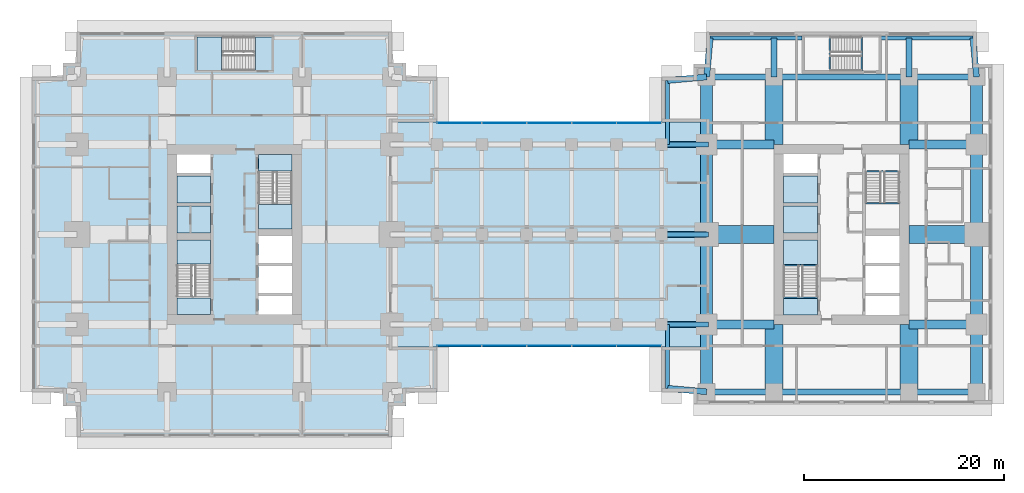
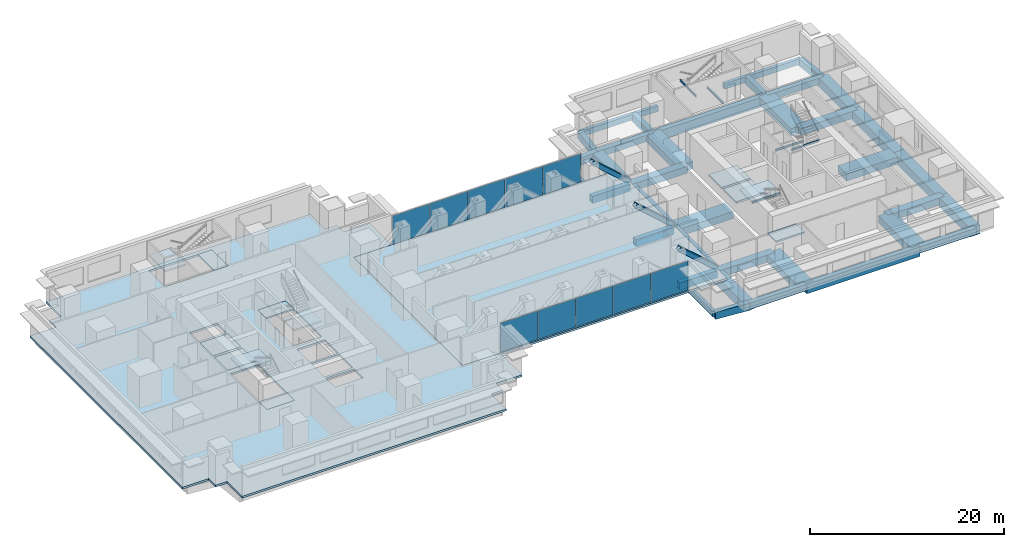
# One storey, part 5 of 16: 43 beams, 14 slabs, 10 plates, 3 members, 6 elements without a shape of their own.
"""IFC4 building model written with IfcOpenShell, lengths in metres."""

from ifc_helpers import new_model, si_unit, direction, frame, origin, origin_2d, place, context, subcontext, project, spatial, polyline, rectangle, hollow_rectangle, i_section, outline, extrude, material, layer, layer_set, material_profile, profile_set, type_object, element, aggregate, save


model = new_model("IFC4")

# Units and contexts
model_context = context("Model", 3, precision=1e-05, world=origin(), true_north=direction((0.0, 1.0)))
body_context = subcontext(model_context, "Body", "Model", "MODEL_VIEW")
ifc_project = project(units=[si_unit("LENGTHUNIT", "METRE"), si_unit("AREAUNIT", "SQUARE_METRE"), si_unit("VOLUMEUNIT", "CUBIC_METRE"), si_unit("PLANEANGLEUNIT", "RADIAN"), si_unit("MASSUNIT", "GRAM", prefix="KILO")], contexts=[model_context])

# Site, building, storey
site_placement = place(None, origin())
site = spatial("IfcSite", under=ifc_project, at=site_placement, CompositionType="ELEMENT")
building_placement = place(site_placement, origin())
building = spatial("IfcBuilding", under=site, at=building_placement, Name="Namib Vertical Campus", CompositionType="ELEMENT")
storey_placement = place(building_placement, frame((0.0, 0.0, 125.0)))
storey = spatial("IfcBuildingStorey", under=building, at=storey_placement, Name="L29", CompositionType="ELEMENT", Elevation=125.0)

# Members
ifc_material_1 = material(Name="Steel S355JR", Category="steel")
ifc_material_profile_1 = material_profile(ifc_material_1, hollow_rectangle(XDim=0.5, YDim=0.5, WallThickness=0.031982421875, at=origin_2d()))
ifc_profile_set_1 = profile_set([ifc_material_profile_1], Name="Steel S355JR")
member_type = type_object("IfcMemberType", Name="Bridge end brace WB 500x500x32", PredefinedType="BRACE", material=ifc_profile_set_1)
for number, where, z_axis, x_axis, name in (
    (1, (67.5, 11.25, 0.0), (-0.747409318684, 0.0, 0.66436383883), (0.0, -1.0, 0.0), "Bridge brace BX1 L29 T1 bay 7"),
    (2, (67.5, 20.25, 0.0), (-0.747409318684, 0.0, 0.66436383883), (0.0, -1.0, 0.0), "Bridge brace BX1 L29 T2 bay 7"),
    (3, (67.5, 29.25, 0.0), (-0.747409318684, 0.0, 0.66436383883), (0.0, -1.0, 0.0), "Bridge brace BX1 L29 T3 bay 7"),
):
    element("IfcMember", number, at=place(storey_placement, frame(where, z_axis=z_axis, x_axis=x_axis)), inside=storey, type_object=member_type, Name=name, PredefinedType="BRACE", context=body_context, shape_type="SweptSolid", body=[
        extrude(hollow_rectangle(XDim=0.5, YDim=0.5, WallThickness=0.031982421875, at=origin_2d()), origin(), (0.0, 0.0, 1.0), 6.020751953125),
    ])

# Beams
ifc_material_2 = material(Name="Steel S355JR", Category="steel")
ifc_material_profile_2 = material_profile(ifc_material_2, hollow_rectangle(XDim=0.60009765625, YDim=0.89990234375, WallThickness=0.050048828125, at=origin_2d()))
ifc_profile_set_2 = profile_set([ifc_material_profile_2], Name="Steel S355JR")
beam_type_1 = type_object("IfcBeamType", Name="Bridge girder WB 900x600x50", PredefinedType="BEAM", material=ifc_profile_set_2)
for number, where, z_axis, x_axis, name in (
    (4, (63.0, 11.25, -0.699951171875), (1.0, 0.0, 0.0), (0.0, 1.0, 0.0), "Bridge girder BG1 L29"),
    (5, (63.0, 20.25, -0.699951171875), (1.0, 0.0, 0.0), (0.0, 1.0, 0.0), "Bridge girder BG1 L29"),
    (6, (63.0, 29.25, -0.699951171875), (1.0, 0.0, 0.0), (0.0, 1.0, 0.0), "Bridge girder BG1 L29"),
):
    element("IfcBeam", number, at=place(storey_placement, frame(where, z_axis=z_axis, x_axis=x_axis)), inside=storey, type_object=beam_type_1, Name=name, PredefinedType="BEAM", context=body_context, shape_type="SweptSolid", body=[
        extrude(hollow_rectangle(XDim=0.60009765625, YDim=0.89990234375, WallThickness=0.050048828125, at=origin_2d()), origin(), (0.0, 0.0, 1.0), 4.5),
    ])
ifc_material_3 = material(Name="Concrete C40/50", Category="concrete")
ifc_material_profile_3 = material_profile(ifc_material_3, rectangle(XDim=0.60009765625, YDim=0.89990234375, at=origin_2d()))
ifc_profile_set_3 = profile_set([ifc_material_profile_3], Name="Concrete C40/50")
beam_type_2 = type_object("IfcBeamType", Name="Cantilever girder RC 600x900", PredefinedType="BEAM", material=ifc_profile_set_3)
beam_1_placement = place(storey_placement, frame((67.5, 36.0, -0.699951171875), z_axis=(0.089411326146, 0.995994786511, 0.0), x_axis=(-0.995994786511, 0.089411326146, 0.0)))
element("IfcBeam", 7, at=beam_1_placement, inside=storey, type_object=beam_type_2, Name="Beam B3 L29", PredefinedType="BEAM", context=body_context, shape_type="SweptSolid", body=[
    extrude(rectangle(XDim=0.60009765625, YDim=0.89990234375, at=origin_2d()), origin(), (0.0, 0.0, 1.0), 3.91552734375),
])
for number, where, z_axis, x_axis, name in (
    (8, (74.25, 36.0, -0.699951171875), (0.0, 1.0, 0.0), (-1.0, 0.0, 0.0), "Beam B3 L29"),
    (9, (87.75, 36.0, -0.699951171875), (0.0, 1.0, 0.0), (-1.0, 0.0, 0.0), "Beam B3 L29"),
):
    element("IfcBeam", number, at=place(storey_placement, frame(where, z_axis=z_axis, x_axis=x_axis)), inside=storey, type_object=beam_type_2, Name=name, PredefinedType="BEAM", context=body_context, shape_type="SweptSolid", body=[
        extrude(rectangle(XDim=0.60009765625, YDim=0.89990234375, at=origin_2d()), origin(), (0.0, 0.0, 1.0), 3.89990234375),
    ])
for number, where, z_axis, x_axis, name in (
    (10, (94.5, 36.0, -0.699951171875), (-0.089411326146, 0.995994786511, 0.0), (-0.995994786511, -0.089411326146, 0.0), "Beam B3 L29"),
    (11, (67.5, 4.5, -0.699951171875), (-0.995994786511, 0.089411326146, 0.0), (-0.089411326146, -0.995994786511, 0.0), "Beam B3 L29"),
    (12, (67.5, 36.0, -0.699951171875), (-0.995994786511, -0.089411326146, 0.0), (0.089411326146, -0.995994786511, 0.0), "Beam B3 L29"),
):
    element("IfcBeam", number, at=place(storey_placement, frame(where, z_axis=z_axis, x_axis=x_axis)), inside=storey, type_object=beam_type_2, Name=name, PredefinedType="BEAM", context=body_context, shape_type="SweptSolid", body=[
        extrude(rectangle(XDim=0.60009765625, YDim=0.89990234375, at=origin_2d()), origin(), (0.0, 0.0, 1.0), 3.91552734375),
    ])
ifc_material_4 = material(Name="Concrete C40/50", Category="concrete")
ifc_material_profile_4 = material_profile(ifc_material_4, rectangle(XDim=0.39990234375, YDim=0.699951171875, at=origin_2d()))
ifc_profile_set_4 = profile_set([ifc_material_profile_4], Name="Concrete C40/50")
beam_type_3 = type_object("IfcBeamType", Name="Edge beam RC 400x700", PredefinedType="SPANDREL", material=ifc_profile_set_4)
for number, where, z_axis, x_axis, name in (
    (13, (67.85009765625, 39.89990234375, -0.60009765625), (1.0, 0.0, 0.0), (0.0, 1.0, 0.0), "Beam B4 L29"),
    (14, (84.949951171875, 39.89990234375, -0.60009765625), (1.0, 0.0, 0.0), (0.0, 1.0, 0.0), "Beam B4 L29"),
):
    element("IfcBeam", number, at=place(storey_placement, frame(where, z_axis=z_axis, x_axis=x_axis)), inside=storey, type_object=beam_type_3, Name=name, PredefinedType="SPANDREL", context=body_context, shape_type="SweptSolid", body=[
        extrude(rectangle(XDim=0.39990234375, YDim=0.699951171875, at=origin_2d()), origin(), (0.0, 0.0, 1.0), 9.199951171875),
    ])
for number, where, z_axis, x_axis, name in (
    (15, (63.60009765625, 4.85009765625, -0.60009765625), (0.0, 1.0, 0.0), (-1.0, 0.0, 0.0), "Beam B4 L29"),
    (16, (63.60009765625, 29.25, -0.60009765625), (0.0, 1.0, 0.0), (-1.0, 0.0, 0.0), "Beam B4 L29"),
):
    element("IfcBeam", number, at=place(storey_placement, frame(where, z_axis=z_axis, x_axis=x_axis)), inside=storey, type_object=beam_type_3, Name=name, PredefinedType="SPANDREL", context=body_context, shape_type="SweptSolid", body=[
        extrude(rectangle(XDim=0.39990234375, YDim=0.699951171875, at=origin_2d()), origin(), (0.0, 0.0, 1.0), 6.39990234375),
    ])
ifc_material_5 = material(Name="Concrete C40/50", Category="concrete")
ifc_material_profile_5 = material_profile(ifc_material_5, rectangle(XDim=0.89990234375, YDim=0.89990234375, at=origin_2d()))
ifc_profile_set_5 = profile_set([ifc_material_profile_5], Name="Concrete C40/50")
beam_type_4 = type_object("IfcBeamType", Name="Face girder RC 900x900", PredefinedType="BEAM", material=ifc_profile_set_5)
for number, where, z_axis, x_axis, name in (
    (17, (67.5, 11.25, -0.699951171875), (1.0, 0.0, 0.0), (0.0, 1.0, 0.0), "Beam B10 L29"),
    (18, (94.5, 11.25, -0.699951171875), (-1.0, 0.0, 0.0), (0.0, -1.0, 0.0), "Beam B10 L29"),
    (19, (67.5, 29.25, -0.699951171875), (1.0, 0.0, 0.0), (0.0, 1.0, 0.0), "Beam B10 L29"),
    (20, (94.5, 29.25, -0.699951171875), (-1.0, 0.0, 0.0), (0.0, -1.0, 0.0), "Beam B10 L29"),
):
    element("IfcBeam", number, at=place(storey_placement, frame(where, z_axis=z_axis, x_axis=x_axis)), inside=storey, type_object=beam_type_4, Name=name, PredefinedType="BEAM", context=body_context, shape_type="SweptSolid", body=[
        extrude(rectangle(XDim=0.89990234375, YDim=0.89990234375, at=origin_2d()), origin(), (0.0, 0.0, 1.0), 6.75),
    ])
ifc_material_6 = material(Name="Concrete C40/50", Category="concrete")
ifc_material_profile_6 = material_profile(ifc_material_6, rectangle(XDim=1.199951171875, YDim=1.10009765625, at=origin_2d()))
ifc_profile_set_6 = profile_set([ifc_material_profile_6], Name="Concrete C40/50")
beam_type_5 = type_object("IfcBeamType", Name="Face ring beam RC 1200x1100", PredefinedType="BEAM", material=ifc_profile_set_6)
beam_2_placement = place(storey_placement, frame((67.5, 4.5, -0.800048828125), z_axis=(0.0, 1.0, 0.0), x_axis=(-1.0, 0.0, 0.0)))
element("IfcBeam", 21, at=beam_2_placement, inside=storey, type_object=beam_type_5, Name="Beam B11 L29", PredefinedType="BEAM", context=body_context, shape_type="SweptSolid", body=[
    extrude(rectangle(XDim=1.199951171875, YDim=1.10009765625, at=origin_2d()), origin(), (0.0, 0.0, 1.0), 6.75),
])
for number, where, z_axis, x_axis, name in (
    (22, (67.5, 11.25, -0.800048828125), (0.0, 1.0, 0.0), (-1.0, 0.0, 0.0), "Beam B11 L29"),
    (23, (67.5, 20.25, -0.800048828125), (0.0, 1.0, 0.0), (-1.0, 0.0, 0.0), "Beam B11 L29"),
):
    element("IfcBeam", number, at=place(storey_placement, frame(where, z_axis=z_axis, x_axis=x_axis)), inside=storey, type_object=beam_type_5, Name=name, PredefinedType="BEAM", context=body_context, shape_type="SweptSolid", body=[
        extrude(rectangle(XDim=1.199951171875, YDim=1.10009765625, at=origin_2d()), origin(), (0.0, 0.0, 1.0), 9.0),
    ])
for number, where, z_axis, x_axis, name in (
    (24, (67.5, 29.25, -0.800048828125), (0.0, 1.0, 0.0), (-1.0, 0.0, 0.0), "Beam B11 L29"),
    (25, (94.5, 4.5, -0.800048828125), (0.0, 1.0, 0.0), (-1.0, 0.0, 0.0), "Beam B11 L29"),
):
    element("IfcBeam", number, at=place(storey_placement, frame(where, z_axis=z_axis, x_axis=x_axis)), inside=storey, type_object=beam_type_5, Name=name, PredefinedType="BEAM", context=body_context, shape_type="SweptSolid", body=[
        extrude(rectangle(XDim=1.199951171875, YDim=1.10009765625, at=origin_2d()), origin(), (0.0, 0.0, 1.0), 6.75),
    ])
for number, where, z_axis, x_axis, name in (
    (26, (94.5, 11.25, -0.800048828125), (0.0, 1.0, 0.0), (-1.0, 0.0, 0.0), "Beam B11 L29"),
    (27, (94.5, 20.25, -0.800048828125), (0.0, 1.0, 0.0), (-1.0, 0.0, 0.0), "Beam B11 L29"),
):
    element("IfcBeam", number, at=place(storey_placement, frame(where, z_axis=z_axis, x_axis=x_axis)), inside=storey, type_object=beam_type_5, Name=name, PredefinedType="BEAM", context=body_context, shape_type="SweptSolid", body=[
        extrude(rectangle(XDim=1.199951171875, YDim=1.10009765625, at=origin_2d()), origin(), (0.0, 0.0, 1.0), 9.0),
    ])
beam_3_placement = place(storey_placement, frame((94.5, 29.25, -0.800048828125), z_axis=(0.0, 1.0, 0.0), x_axis=(-1.0, 0.0, 0.0)))
element("IfcBeam", 28, at=beam_3_placement, inside=storey, type_object=beam_type_5, Name="Beam B11 L29", PredefinedType="BEAM", context=body_context, shape_type="SweptSolid", body=[
    extrude(rectangle(XDim=1.199951171875, YDim=1.10009765625, at=origin_2d()), origin(), (0.0, 0.0, 1.0), 6.75),
])
ifc_material_7 = material(Name="Steel S355JR", Category="steel")
ifc_material_profile_7 = material_profile(ifc_material_7, i_section(OverallWidth=0.14599609375, OverallDepth=0.25146484375, WebThickness=0.006103515625, FlangeThickness=0.008544921875, FilletRadius=0.007568359375, at=origin_2d()))
ifc_profile_set_7 = profile_set([ifc_material_profile_7], Name="Steel S355JR")
beam_type_6 = type_object("IfcBeamType", Name="Landing trimmer UB 254x146x31", PredefinedType="BEAM", material=ifc_profile_set_7)
for number, where, z_axis, x_axis, name in (
    (29, (75.199951171875, 13.927001953125, -0.125732421875), (1.0, 0.0, 0.0), (0.0, 1.0, 0.0), "Landing trimmer LT1 B-S1 L29 1"),
    (30, (75.199951171875, 17.153076171875, 1.874267578125), (1.0, 0.0, 0.0), (0.0, 1.0, 0.0), "Landing trimmer LT1 B-S1 L29 2"),
    (31, (83.39990234375, 26.572998046875, -0.125732421875), (1.0, 0.0, 0.0), (0.0, 1.0, 0.0), "Landing trimmer LT1 B-S2 L29 1"),
    (32, (83.39990234375, 23.346923828125, 1.874267578125), (1.0, 0.0, 0.0), (0.0, 1.0, 0.0), "Landing trimmer LT1 B-S2 L29 2"),
):
    element("IfcBeam", number, at=place(storey_placement, frame(where, z_axis=z_axis, x_axis=x_axis)), inside=storey, type_object=beam_type_6, Name=name, PredefinedType="BEAM", context=body_context, shape_type="SweptSolid", body=[
        extrude(i_section(OverallWidth=0.14599609375, OverallDepth=0.25146484375, WebThickness=0.006103515625, FlangeThickness=0.008544921875, FilletRadius=0.007568359375, at=origin_2d()), origin(), (0.0, 0.0, 1.0), 3.400146484375),
    ])
for number, where, z_axis, x_axis, name in (
    (33, (83.02294921875, 36.60009765625, -0.125732421875), (0.0, 1.0, 0.0), (-1.0, 0.0, 0.0), "Landing trimmer LT1 B-S3 L29 1"),
    (34, (79.796875, 36.60009765625, 1.874267578125), (0.0, 1.0, 0.0), (-1.0, 0.0, 0.0), "Landing trimmer LT1 B-S3 L29 2"),
):
    element("IfcBeam", number, at=place(storey_placement, frame(where, z_axis=z_axis, x_axis=x_axis)), inside=storey, type_object=beam_type_6, Name=name, PredefinedType="BEAM", context=body_context, shape_type="SweptSolid", body=[
        extrude(i_section(OverallWidth=0.14599609375, OverallDepth=0.25146484375, WebThickness=0.006103515625, FlangeThickness=0.008544921875, FilletRadius=0.007568359375, at=origin_2d()), origin(), (0.0, 0.0, 1.0), 3.39990234375),
    ])
ifc_material_8 = material(Name="Concrete C40/50", Category="concrete")
ifc_material_profile_8 = material_profile(ifc_material_8, rectangle(XDim=0.60009765625, YDim=1.199951171875, at=origin_2d()))
ifc_profile_set_8 = profile_set([ifc_material_profile_8], Name="Concrete C40/50")
beam_type_7 = type_object("IfcBeamType", Name="Long-span ring beam RC 600x1200", PredefinedType="BEAM", material=ifc_profile_set_8)
for number, where, z_axis, x_axis, name in (
    (35, (74.25, 4.5, -0.85009765625), (1.0, 0.0, 0.0), (0.0, 1.0, 0.0), "Beam B9 L29"),
    (36, (74.25, 36.0, -0.85009765625), (1.0, 0.0, 0.0), (0.0, 1.0, 0.0), "Beam B9 L29"),
):
    element("IfcBeam", number, at=place(storey_placement, frame(where, z_axis=z_axis, x_axis=x_axis)), inside=storey, type_object=beam_type_7, Name=name, PredefinedType="BEAM", context=body_context, shape_type="SweptSolid", body=[
        extrude(rectangle(XDim=0.60009765625, YDim=1.199951171875, at=origin_2d()), origin(), (0.0, 0.0, 1.0), 13.5),
    ])
ifc_material_9 = material(Name="Concrete C40/50", Category="concrete")
ifc_material_profile_9 = material_profile(ifc_material_9, rectangle(XDim=1.800048828125, YDim=0.89990234375, at=origin_2d()))
ifc_profile_set_9 = profile_set([ifc_material_profile_9], Name="Concrete C40/50")
beam_type_8 = type_object("IfcBeamType", Name="Outrigger line girder RC 1800x900", PredefinedType="BEAM", material=ifc_profile_set_9)
for number, where, z_axis, x_axis, name in (
    (37, (74.25, 4.5, -0.699951171875), (0.0, 1.0, 0.0), (-1.0, 0.0, 0.0), "Beam B12 L29"),
    (38, (74.25, 36.0, -0.699951171875), (0.0, -1.0, 0.0), (1.0, 0.0, 0.0), "Beam B12 L29"),
    (39, (87.75, 4.5, -0.699951171875), (0.0, 1.0, 0.0), (-1.0, 0.0, 0.0), "Beam B12 L29"),
    (40, (87.75, 36.0, -0.699951171875), (0.0, -1.0, 0.0), (1.0, 0.0, 0.0), "Beam B12 L29"),
    (41, (67.5, 20.25, -0.699951171875), (1.0, 0.0, 0.0), (0.0, 1.0, 0.0), "Beam B12 L29"),
    (42, (94.5, 20.25, -0.699951171875), (-1.0, 0.0, 0.0), (0.0, -1.0, 0.0), "Beam B12 L29"),
):
    element("IfcBeam", number, at=place(storey_placement, frame(where, z_axis=z_axis, x_axis=x_axis)), inside=storey, type_object=beam_type_8, Name=name, PredefinedType="BEAM", context=body_context, shape_type="SweptSolid", body=[
        extrude(rectangle(XDim=1.800048828125, YDim=0.89990234375, at=origin_2d()), origin(), (0.0, 0.0, 1.0), 6.75),
    ])
ifc_material_10 = material(Name="Concrete C40/50", Category="concrete")
ifc_material_profile_10 = material_profile(ifc_material_10, rectangle(XDim=0.60009765625, YDim=0.800048828125, at=origin_2d()))
ifc_profile_set_10 = profile_set([ifc_material_profile_10], Name="Concrete C40/50")
beam_type_9 = type_object("IfcBeamType", Name="Ring beam RC 600x800", PredefinedType="BEAM", material=ifc_profile_set_10)
for number, where, z_axis, x_axis, name in (
    (43, (67.5, 4.5, -0.64990234375), (1.0, 0.0, 0.0), (0.0, 1.0, 0.0), "Beam B1 L29"),
    (44, (87.75, 4.5, -0.64990234375), (1.0, 0.0, 0.0), (0.0, 1.0, 0.0), "Beam B1 L29"),
    (45, (67.5, 36.0, -0.64990234375), (1.0, 0.0, 0.0), (0.0, 1.0, 0.0), "Beam B1 L29"),
    (46, (87.75, 36.0, -0.64990234375), (1.0, 0.0, 0.0), (0.0, 1.0, 0.0), "Beam B1 L29"),
):
    element("IfcBeam", number, at=place(storey_placement, frame(where, z_axis=z_axis, x_axis=x_axis)), inside=storey, type_object=beam_type_9, Name=name, PredefinedType="BEAM", context=body_context, shape_type="SweptSolid", body=[
        extrude(rectangle(XDim=0.60009765625, YDim=0.800048828125, at=origin_2d()), origin(), (0.0, 0.0, 1.0), 6.75),
    ])

# Curtain wall, plates
ifc_material_11 = material(Name="Black aluminium curtain wall", Category="aluminium")
ifc_layer_1 = layer(ifc_material_11, 0.199951171875)
ifc_layer_set_1 = layer_set([ifc_layer_1], Name="Bridge curtain wall CW-BR")
curtain_wall_type = type_object("IfcCurtainWallType", Name="Bridge curtain wall CW-BR", PredefinedType="USERDEFINED", material=ifc_layer_set_1)
curtain_wall_1_placement = place(storey_placement, origin())
curtain_wall_1 = element("IfcCurtainWall", 47, at=curtain_wall_1_placement, inside=storey, type_object=curtain_wall_type, Name="Curtain wall CW-BR L29 S", ObjectType="CURTAIN WALL", PredefinedType="USERDEFINED")
ifc_material_12 = material(Name="Dark tinted glass", Category="glass")
ifc_layer_2 = layer(ifc_material_12, 0.028076171875)
ifc_layer_set_2 = layer_set([ifc_layer_2], Name="Dark solar glass panel 28")
plate_type = type_object("IfcPlateType", Name="Dark solar glass panel 28", PredefinedType="CURTAIN_PANEL", material=ifc_layer_set_2)
plate_1_placement = place(storey_placement, frame((42.764892578125, 9.10009765625, 0.06005859375), z_axis=(0.0, 0.0, 1.0), x_axis=(1.0, 0.0, 0.0)))
plate_1 = element("IfcPlate", 48, at=plate_1_placement, type_object=plate_type, Name="CW-BR panel 1.1", PredefinedType="CURTAIN_PANEL", context=body_context, shape_type="SweptSolid", body=[
    extrude(rectangle(XDim=4.409912109375, YDim=0.028076171875, at=origin_2d()), origin(), (0.0, 0.0, 1.0), 3.6298828125),
])
plate_2_placement = place(storey_placement, frame((47.25, 9.10009765625, 0.06005859375), z_axis=(0.0, 0.0, 1.0), x_axis=(1.0, 0.0, 0.0)))
plate_2 = element("IfcPlate", 49, at=plate_2_placement, type_object=plate_type, Name="CW-BR panel 2.1", PredefinedType="CURTAIN_PANEL", context=body_context, shape_type="SweptSolid", body=[
    extrude(rectangle(XDim=4.43994140625, YDim=0.028076171875, at=origin_2d()), origin(), (0.0, 0.0, 1.0), 3.6298828125),
])
plate_3_placement = place(storey_placement, frame((51.75, 9.10009765625, 0.06005859375), z_axis=(0.0, 0.0, 1.0), x_axis=(1.0, 0.0, 0.0)))
plate_3 = element("IfcPlate", 50, at=plate_3_placement, type_object=plate_type, Name="CW-BR panel 3.1", PredefinedType="CURTAIN_PANEL", context=body_context, shape_type="SweptSolid", body=[
    extrude(rectangle(XDim=4.43994140625, YDim=0.028076171875, at=origin_2d()), origin(), (0.0, 0.0, 1.0), 3.6298828125),
])
plate_4_placement = place(storey_placement, frame((56.25, 9.10009765625, 0.06005859375), z_axis=(0.0, 0.0, 1.0), x_axis=(1.0, 0.0, 0.0)))
plate_4 = element("IfcPlate", 51, at=plate_4_placement, type_object=plate_type, Name="CW-BR panel 4.1", PredefinedType="CURTAIN_PANEL", context=body_context, shape_type="SweptSolid", body=[
    extrude(rectangle(XDim=4.43994140625, YDim=0.028076171875, at=origin_2d()), origin(), (0.0, 0.0, 1.0), 3.6298828125),
])
plate_5_placement = place(storey_placement, frame((60.735107421875, 9.10009765625, 0.06005859375), z_axis=(0.0, 0.0, 1.0), x_axis=(1.0, 0.0, 0.0)))
plate_5 = element("IfcPlate", 52, at=plate_5_placement, type_object=plate_type, Name="CW-BR panel 5.1", PredefinedType="CURTAIN_PANEL", context=body_context, shape_type="SweptSolid", body=[
    extrude(rectangle(XDim=4.409912109375, YDim=0.028076171875, at=origin_2d()), origin(), (0.0, 0.0, 1.0), 3.6298828125),
])
aggregate(curtain_wall_1, [plate_1, plate_2, plate_3, plate_4, plate_5])

curtain_wall_2_placement = place(storey_placement, origin())
curtain_wall_2 = element("IfcCurtainWall", 53, at=curtain_wall_2_placement, inside=storey, type_object=curtain_wall_type, Name="Curtain wall CW-BR L29 N", ObjectType="CURTAIN WALL", PredefinedType="USERDEFINED")
plate_6_placement = place(storey_placement, frame((60.735107421875, 31.39990234375, 0.06005859375), z_axis=(0.0, 0.0, 1.0), x_axis=(-1.0, 0.0, 0.0)))
plate_6 = element("IfcPlate", 54, at=plate_6_placement, type_object=plate_type, Name="CW-BR panel 1.1", PredefinedType="CURTAIN_PANEL", context=body_context, shape_type="SweptSolid", body=[
    extrude(rectangle(XDim=4.409912109375, YDim=0.028076171875, at=origin_2d()), origin(), (0.0, 0.0, 1.0), 3.6298828125),
])
plate_7_placement = place(storey_placement, frame((56.25, 31.39990234375, 0.06005859375), z_axis=(0.0, 0.0, 1.0), x_axis=(-1.0, 0.0, 0.0)))
plate_7 = element("IfcPlate", 55, at=plate_7_placement, type_object=plate_type, Name="CW-BR panel 2.1", PredefinedType="CURTAIN_PANEL", context=body_context, shape_type="SweptSolid", body=[
    extrude(rectangle(XDim=4.43994140625, YDim=0.028076171875, at=origin_2d()), origin(), (0.0, 0.0, 1.0), 3.6298828125),
])
plate_8_placement = place(storey_placement, frame((51.75, 31.39990234375, 0.06005859375), z_axis=(0.0, 0.0, 1.0), x_axis=(-1.0, 0.0, 0.0)))
plate_8 = element("IfcPlate", 56, at=plate_8_placement, type_object=plate_type, Name="CW-BR panel 3.1", PredefinedType="CURTAIN_PANEL", context=body_context, shape_type="SweptSolid", body=[
    extrude(rectangle(XDim=4.43994140625, YDim=0.028076171875, at=origin_2d()), origin(), (0.0, 0.0, 1.0), 3.6298828125),
])
plate_9_placement = place(storey_placement, frame((47.25, 31.39990234375, 0.06005859375), z_axis=(0.0, 0.0, 1.0), x_axis=(-1.0, 0.0, 0.0)))
plate_9 = element("IfcPlate", 57, at=plate_9_placement, type_object=plate_type, Name="CW-BR panel 4.1", PredefinedType="CURTAIN_PANEL", context=body_context, shape_type="SweptSolid", body=[
    extrude(rectangle(XDim=4.43994140625, YDim=0.028076171875, at=origin_2d()), origin(), (0.0, 0.0, 1.0), 3.6298828125),
])
plate_10_placement = place(storey_placement, frame((42.764892578125, 31.39990234375, 0.06005859375), z_axis=(0.0, 0.0, 1.0), x_axis=(-1.0, 0.0, 0.0)))
plate_10 = element("IfcPlate", 58, at=plate_10_placement, type_object=plate_type, Name="CW-BR panel 5.1", PredefinedType="CURTAIN_PANEL", context=body_context, shape_type="SweptSolid", body=[
    extrude(rectangle(XDim=4.409912109375, YDim=0.028076171875, at=origin_2d()), origin(), (0.0, 0.0, 1.0), 3.6298828125),
])
aggregate(curtain_wall_2, [plate_6, plate_7, plate_8, plate_9, plate_10])

# Slabs
ifc_material_13 = material(Name="Concrete C40/50", Category="concrete")
ifc_layer_3 = layer(ifc_material_13, 0.25)
ifc_layer_set_3 = layer_set([ifc_layer_3], Name="Concrete C40/50")
slab_type_1 = type_object("IfcSlabType", Name="Floor slab 250", PredefinedType="FLOOR", material=ifc_layer_set_3)
slab_1_placement = place(storey_placement, frame((0.0, 0.0, -0.25)))
element("IfcSlab", 59, at=slab_1_placement, inside=storey, type_object=slab_type_1, Name="Floor slab A L29", PredefinedType="FLOOR", context=body_context, shape_type="SweptSolid", body=[
    extrude(outline(polyline([(4.5, 3.10009765625), (4.5, 0.0), (36.0, 0.0), (36.0, 3.10009765625), (37.39990234375, 3.10009765625), (37.39990234375, 4.5), (40.5, 4.5), (40.5, 9.0), (36.0, 9.0), (36.0, 31.5), (40.5, 31.5), (40.5, 36.0), (37.39990234375, 36.0), (37.39990234375, 37.39990234375), (36.0, 37.39990234375), (36.0, 40.5), (4.5, 40.5), (4.5, 37.39990234375), (3.10009765625, 37.39990234375), (3.10009765625, 36.0), (0.0, 36.0), (0.0, 4.5), (3.10009765625, 4.5), (3.10009765625, 3.10009765625), (4.5, 3.10009765625)]), holes=[polyline([(14.5, 12.25), (17.85009765625, 12.25), (17.85009765625, 19.699951171875), (14.5, 19.699951171875), (14.5, 12.25)]), polyline([(22.64990234375, 20.800048828125), (26.0, 20.800048828125), (26.0, 28.25), (22.64990234375, 28.25), (22.64990234375, 20.800048828125)]), polyline([(22.64990234375, 12.25), (26.0, 12.25), (26.0, 14.10009765625), (22.64990234375, 14.10009765625), (22.64990234375, 12.25)]), polyline([(14.5, 20.39990234375), (17.85009765625, 20.39990234375), (17.85009765625, 23.10009765625), (14.5, 23.10009765625), (14.5, 20.39990234375)]), polyline([(14.5, 23.39990234375), (17.85009765625, 23.39990234375), (17.85009765625, 26.10009765625), (14.5, 26.10009765625), (14.5, 23.39990234375)]), polyline([(14.5, 26.39990234375), (17.85009765625, 26.39990234375), (17.85009765625, 28.25), (14.5, 28.25), (14.5, 26.39990234375)]), polyline([(22.64990234375, 14.39990234375), (26.0, 14.39990234375), (26.0, 17.10009765625), (22.64990234375, 17.10009765625), (22.64990234375, 14.39990234375)]), polyline([(22.64990234375, 17.39990234375), (26.0, 17.39990234375), (26.0, 20.10009765625), (22.64990234375, 20.10009765625), (22.64990234375, 17.39990234375)]), polyline([(16.5, 36.64990234375), (24.0, 36.64990234375), (24.0, 40.0), (16.5, 40.0), (16.5, 36.64990234375)])]), origin(), (0.0, 0.0, 1.0), 0.25),
])
slab_2_placement = place(storey_placement, frame((0.0, 0.0, -0.25)))
element("IfcSlab", 60, at=slab_2_placement, inside=storey, type_object=slab_type_1, Name="Bridge floor L29", PredefinedType="FLOOR", context=body_context, shape_type="SweptSolid", body=[
    extrude(outline(polyline([(36.0, 9.0), (67.5, 9.0), (67.5, 31.5), (36.0, 31.5), (36.0, 9.0)])), origin(), (0.0, 0.0, 1.0), 0.25),
])
ifc_material_14 = material(Name="Concrete C40/50 precast", Category="concrete")
ifc_layer_4 = layer(ifc_material_14, 0.25)
ifc_layer_set_4 = layer_set([ifc_layer_4], Name="Concrete C40/50 precast")
slab_type_2 = type_object("IfcSlabType", Name="Shaft infill floor 250", PredefinedType="FLOOR", material=ifc_layer_set_4)
slab_3_placement = place(storey_placement, frame((0.0, 0.0, -0.25)))
element("IfcSlab", 61, at=slab_3_placement, inside=storey, type_object=slab_type_2, Name="Shaft infill floor A L29 P1", PredefinedType="FLOOR", context=body_context, shape_type="SweptSolid", body=[
    extrude(outline(polyline([(14.5, 20.39990234375), (17.85009765625, 20.39990234375), (17.85009765625, 23.10009765625), (14.5, 23.10009765625), (14.5, 20.39990234375)])), origin(), (0.0, 0.0, 1.0), 0.25),
])
slab_4_placement = place(storey_placement, frame((0.0, 0.0, -0.25)))
element("IfcSlab", 62, at=slab_4_placement, inside=storey, type_object=slab_type_2, Name="Shaft infill floor A L29 P2", PredefinedType="FLOOR", context=body_context, shape_type="SweptSolid", body=[
    extrude(outline(polyline([(14.5, 23.39990234375), (17.85009765625, 23.39990234375), (17.85009765625, 26.10009765625), (14.5, 26.10009765625), (14.5, 23.39990234375)])), origin(), (0.0, 0.0, 1.0), 0.25),
])
slab_5_placement = place(storey_placement, frame((0.0, 0.0, -0.25)))
element("IfcSlab", 63, at=slab_5_placement, inside=storey, type_object=slab_type_2, Name="Shaft infill floor B L29 P1", PredefinedType="FLOOR", context=body_context, shape_type="SweptSolid", body=[
    extrude(outline(polyline([(75.199951171875, 20.39990234375), (78.60009765625, 20.39990234375), (78.60009765625, 23.10009765625), (75.199951171875, 23.10009765625), (75.199951171875, 20.39990234375)])), origin(), (0.0, 0.0, 1.0), 0.25),
])
slab_6_placement = place(storey_placement, frame((0.0, 0.0, -0.25)))
element("IfcSlab", 64, at=slab_6_placement, inside=storey, type_object=slab_type_2, Name="Shaft infill floor B L29 P2", PredefinedType="FLOOR", context=body_context, shape_type="SweptSolid", body=[
    extrude(outline(polyline([(75.199951171875, 23.39990234375), (78.60009765625, 23.39990234375), (78.60009765625, 26.10009765625), (75.199951171875, 26.10009765625), (75.199951171875, 23.39990234375)])), origin(), (0.0, 0.0, 1.0), 0.25),
])

# Stair, slabs
ifc_material_15 = material(Name="Concrete C40/50 precast", Category="concrete")
stair_type_1 = type_object("IfcStairType", Name="Exit stair 4000 rise 24 risers 3350 wide", PredefinedType="HALF_TURN_STAIR", material=ifc_material_15)
stair_1_placement = place(storey_placement, origin())
stair_1 = element("IfcStair", 65, at=stair_1_placement, inside=storey, type_object=stair_type_1, Name="Exit stair A-S1 L29", PredefinedType="HALF_TURN_STAIR")
ifc_material_16 = material(Name="Concrete C40/50", Category="concrete")
ifc_layer_5 = layer(ifc_material_16, 0.199951171875)
ifc_layer_set_5 = layer_set([ifc_layer_5], Name="Concrete C40/50")
slab_type_3 = type_object("IfcSlabType", Name="Stair landing 200", PredefinedType="LANDING", material=ifc_layer_set_5)
slab_7_placement = place(storey_placement, frame((0.0, 0.0, -0.199951171875)))
slab_7 = element("IfcSlab", 66, at=slab_7_placement, type_object=slab_type_3, Name="A-S1 landing 1", PredefinedType="LANDING", context=body_context, shape_type="SweptSolid", body=[
    extrude(outline(polyline([(14.5, 12.25), (17.85009765625, 12.25), (17.85009765625, 13.90380859375), (14.5, 13.90380859375), (14.5, 12.25)])), origin(), (0.0, 0.0, 1.0), 0.199951171875),
])
slab_8_placement = place(storey_placement, frame((0.0, 0.0, 1.800048828125)))
slab_8 = element("IfcSlab", 67, at=slab_8_placement, type_object=slab_type_3, Name="A-S1 landing 2", PredefinedType="LANDING", context=body_context, shape_type="SweptSolid", body=[
    extrude(outline(polyline([(14.5, 17.276123046875), (17.85009765625, 17.276123046875), (17.85009765625, 19.699951171875), (14.5, 19.699951171875), (14.5, 17.276123046875)])), origin(), (0.0, 0.0, 1.0), 0.199951171875),
])
aggregate(stair_1, [slab_7, slab_8])

stair_2_placement = place(storey_placement, origin())
stair_2 = element("IfcStair", 68, at=stair_2_placement, inside=storey, type_object=stair_type_1, Name="Exit stair A-S2 L29", PredefinedType="HALF_TURN_STAIR")
slab_9_placement = place(storey_placement, frame((0.0, 0.0, -0.199951171875)))
slab_9 = element("IfcSlab", 69, at=slab_9_placement, type_object=slab_type_3, Name="A-S2 landing 1", PredefinedType="LANDING", context=body_context, shape_type="SweptSolid", body=[
    extrude(outline(polyline([(22.64990234375, 26.59619140625), (26.0, 26.59619140625), (26.0, 28.25), (22.64990234375, 28.25), (22.64990234375, 26.59619140625)])), origin(), (0.0, 0.0, 1.0), 0.199951171875),
])
slab_10_placement = place(storey_placement, frame((0.0, 0.0, 1.800048828125)))
slab_10 = element("IfcSlab", 70, at=slab_10_placement, type_object=slab_type_3, Name="A-S2 landing 2", PredefinedType="LANDING", context=body_context, shape_type="SweptSolid", body=[
    extrude(outline(polyline([(22.64990234375, 20.800048828125), (26.0, 20.800048828125), (26.0, 23.223876953125), (22.64990234375, 23.223876953125), (22.64990234375, 20.800048828125)])), origin(), (0.0, 0.0, 1.0), 0.199951171875),
])
aggregate(stair_2, [slab_9, slab_10])

ifc_material_17 = material(Name="Concrete C40/50 precast", Category="concrete")
stair_type_2 = type_object("IfcStairType", Name="Exit stair 4000 rise 24 risers 3400 wide", PredefinedType="HALF_TURN_STAIR", material=ifc_material_17)
stair_3_placement = place(storey_placement, origin())
stair_3 = element("IfcStair", 71, at=stair_3_placement, inside=storey, type_object=stair_type_2, Name="Exit stair B-S1 L29", PredefinedType="HALF_TURN_STAIR")
slab_11_placement = place(storey_placement, frame((0.0, 0.0, -0.199951171875)))
slab_11 = element("IfcSlab", 72, at=slab_11_placement, type_object=slab_type_3, Name="B-S1 landing 1", PredefinedType="LANDING", context=body_context, shape_type="SweptSolid", body=[
    extrude(outline(polyline([(75.199951171875, 12.199951171875), (78.60009765625, 12.199951171875), (78.60009765625, 13.85400390625), (75.199951171875, 13.85400390625), (75.199951171875, 12.199951171875)])), origin(), (0.0, 0.0, 1.0), 0.199951171875),
])
slab_12_placement = place(storey_placement, frame((0.0, 0.0, 1.800048828125)))
slab_12 = element("IfcSlab", 73, at=slab_12_placement, type_object=slab_type_3, Name="B-S1 landing 2", PredefinedType="LANDING", context=body_context, shape_type="SweptSolid", body=[
    extrude(outline(polyline([(75.199951171875, 17.22607421875), (78.60009765625, 17.22607421875), (78.60009765625, 19.699951171875), (75.199951171875, 19.699951171875), (75.199951171875, 17.22607421875)])), origin(), (0.0, 0.0, 1.0), 0.199951171875),
])
aggregate(stair_3, [slab_11, slab_12])

stair_4_placement = place(storey_placement, origin())
stair_4 = element("IfcStair", 74, at=stair_4_placement, inside=storey, type_object=stair_type_1, Name="Exit stair A-S3 L29", PredefinedType="HALF_TURN_STAIR")
slab_13_placement = place(storey_placement, frame((0.0, 0.0, -0.199951171875)))
slab_13 = element("IfcSlab", 75, at=slab_13_placement, type_object=slab_type_3, Name="A-S3 landing 1", PredefinedType="LANDING", context=body_context, shape_type="SweptSolid", body=[
    extrude(outline(polyline([(22.34619140625, 36.64990234375), (22.34619140625, 40.0), (24.0, 40.0), (24.0, 36.64990234375), (22.34619140625, 36.64990234375)])), origin(), (0.0, 0.0, 1.0), 0.199951171875),
])
slab_14_placement = place(storey_placement, frame((0.0, 0.0, 1.800048828125)))
slab_14 = element("IfcSlab", 76, at=slab_14_placement, type_object=slab_type_3, Name="A-S3 landing 2", PredefinedType="LANDING", context=body_context, shape_type="SweptSolid", body=[
    extrude(outline(polyline([(16.5, 36.64990234375), (16.5, 40.0), (18.973876953125, 40.0), (18.973876953125, 36.64990234375), (16.5, 36.64990234375)])), origin(), (0.0, 0.0, 1.0), 0.199951171875),
])
aggregate(stair_4, [slab_13, slab_14])

save(model, "model.ifc")
